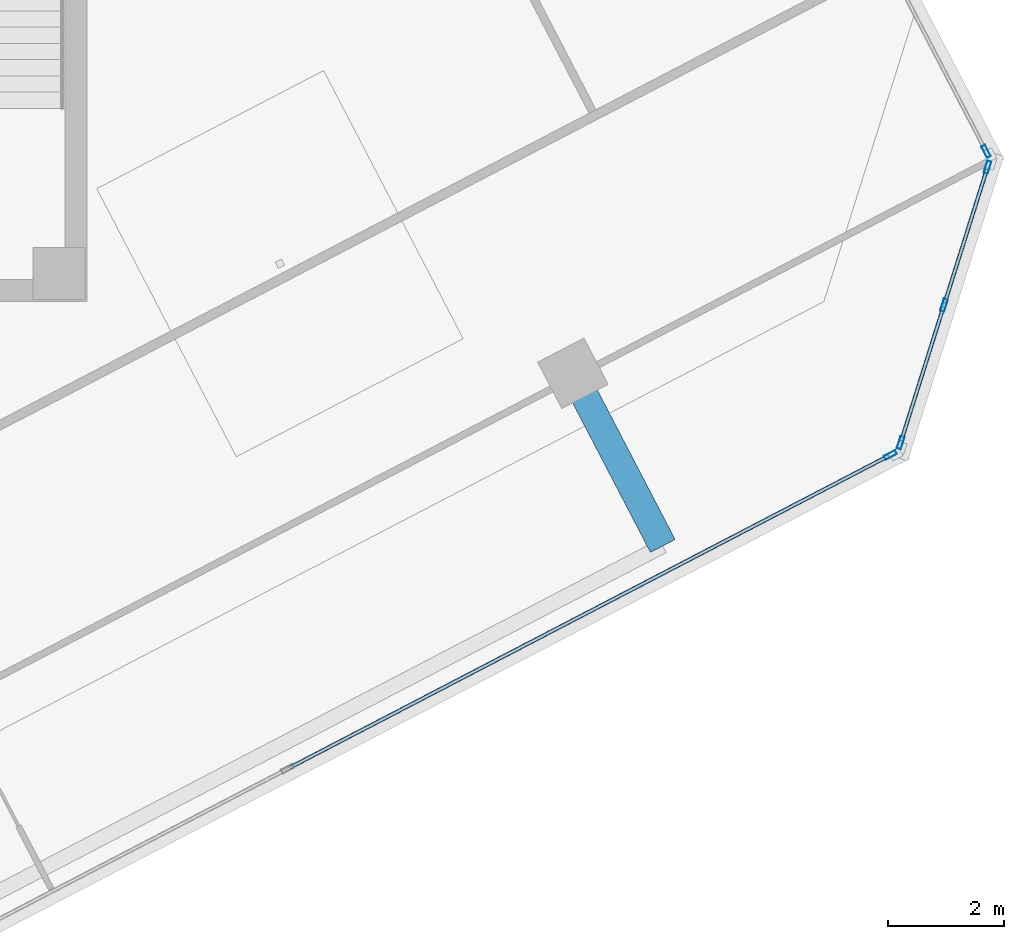
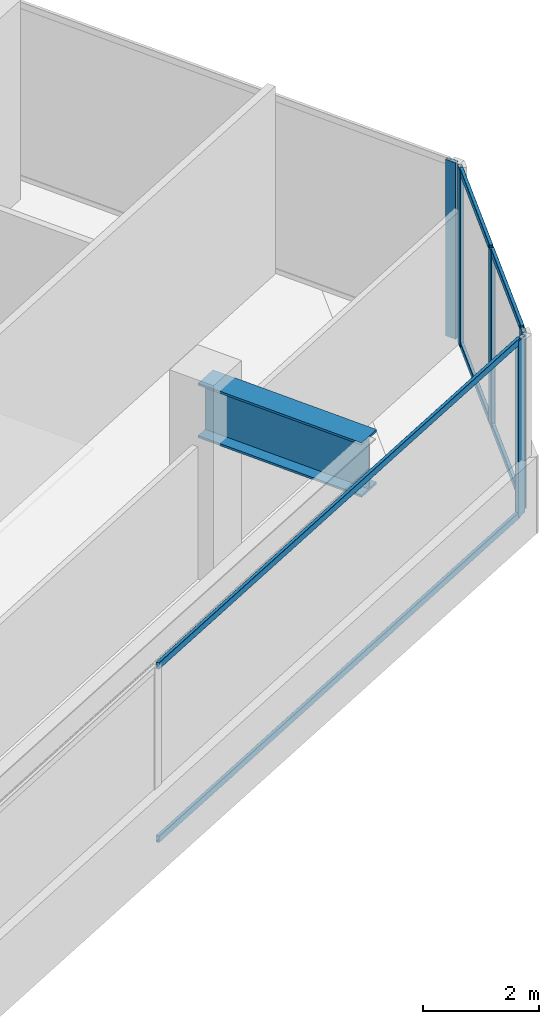
# One storey, part 6 of 16: 11 members, 1 beam, 3 elements without a shape of their own.
"""IFC4 building model written with IfcOpenShell, lengths in metres."""

from ifc_helpers import new_model, si_unit, direction, frame, origin, origin_2d, place, context, subcontext, project, spatial, hollow_rectangle, i_section, extrude, source, transform, mapped, material, material_profile, profile_set, type_object, element, aggregate, save


model = new_model("IFC4")

# Units and contexts
model_context = context("Model", 3, precision=1e-05, world=origin(), true_north=direction((0.0, 1.0)))
body_context = subcontext(model_context, "Body", "Model", "MODEL_VIEW")
ifc_project = project(units=[si_unit("LENGTHUNIT", "METRE"), si_unit("AREAUNIT", "SQUARE_METRE"), si_unit("VOLUMEUNIT", "CUBIC_METRE"), si_unit("PLANEANGLEUNIT", "RADIAN"), si_unit("MASSUNIT", "GRAM", prefix="KILO")], contexts=[model_context])

# Site, building, storey
site_placement = place(None, origin())
site = spatial("IfcSite", under=ifc_project, at=site_placement, CompositionType="ELEMENT")
building_placement = place(site_placement, origin())
building = spatial("IfcBuilding", under=site, at=building_placement, Name="Torre Montelarca", CompositionType="ELEMENT")
storey_placement = place(building_placement, frame((0.0, 0.0, 328.199951171875)))
storey = spatial("IfcBuildingStorey", under=building, at=storey_placement, Name="L74", CompositionType="ELEMENT", Elevation=328.199951171875)

# Beam
ifc_material_1 = material(Name="Steel ASTM A572 Grade 50", Category="steel")
ifc_material_profile_1 = material_profile(ifc_material_1, i_section(OverallWidth=0.47998046875, OverallDepth=1.14990234375, WebThickness=0.02197265625, FlangeThickness=0.044921875, at=origin_2d()), Name="PG1150X480X22X45", Category="steel")
ifc_profile_set_1 = profile_set([ifc_material_profile_1], Name="Steel ASTM A572 Grade 50")
beam_type = type_object("IfcBeamType", Name="BM-CG-PG1400-EXT", PredefinedType="USERDEFINED", material=ifc_profile_set_1)
shared_shape_1 = source(origin(), body_context, "Body", "SweptSolid", [
    extrude(i_section(OverallWidth=0.47998046875, OverallDepth=1.14990234375, WebThickness=0.02197265625, FlangeThickness=0.044921875, at=origin_2d()), origin(), (0.0, 0.0, 1.0), 3.349853515625),
])
beam_placement = place(storey_placement, frame((35.29150390625, 22.832275390625, 3.385009765625), z_axis=(0.461758844256, -0.887005507171, 0.0), x_axis=(0.887005507171, 0.461758844256, 0.0)))
element("IfcBeam", 1, at=beam_placement, inside=storey, type_object=beam_type, Name="L74 Sliding Tray Cantilever Girder East Y=40m (FLR)", ObjectType="CANTILEVER GIRDER", PredefinedType="USERDEFINED", context=body_context, shape_type="MappedRepresentation", body=[
    mapped(shared_shape_1, transform((0.0, 0.0, 0.0), scale=1.0)),
])

# Curtain wall, member
ifc_material_2 = material(Name="Insulated low-E laminated glass", Category="glass")
curtain_wall_type = type_object("IfcCurtainWallType", Name="CW-SYS-Z4", PredefinedType="USERDEFINED", material=ifc_material_2)
curtain_wall_1_placement = place(storey_placement, origin())
curtain_wall_1 = element("IfcCurtainWall", 2, at=curtain_wall_1_placement, inside=storey, type_object=curtain_wall_type, Name="L74 Curtain Wall Run CW-T3-L74-E06-B1", ObjectType="UNITISED GLAZING", PredefinedType="USERDEFINED")
ifc_material_3 = material(Name="Anodised aluminium AA 6063-T6", Category="aluminium")
ifc_material_profile_2 = material_profile(ifc_material_3, hollow_rectangle(XDim=0.074951171875, YDim=0.219970703125, WallThickness=0.0048828125, InnerFilletRadius=0.0048828125, OuterFilletRadius=0.010009765625, at=origin_2d()), Name="ALU75X220X5", Category="aluminium")
ifc_profile_set_2 = profile_set([ifc_material_profile_2], Name="Anodised aluminium AA 6063-T6")
member_type_1 = type_object("IfcMemberType", Name="CWM-ALU220", PredefinedType="MULLION", material=ifc_profile_set_2)
shared_shape_2 = source(origin(), body_context, "Body", "SweptSolid", [
    extrude(hollow_rectangle(XDim=0.074951171875, YDim=0.219970703125, WallThickness=0.0048828125, InnerFilletRadius=0.0048828125, OuterFilletRadius=0.010009765625, at=origin_2d()), origin(), (0.0, 0.0, 1.0), 3.719970703125),
])
member_1_placement = place(storey_placement, frame((40.754638671875, 21.426025390625, 0.0), z_axis=(0.0, 0.0, 1.0), x_axis=(-0.461745658928, 0.887012371087, 0.0)))
member_1 = element("IfcMember", 3, at=member_1_placement, type_object=member_type_1, Name="CW mullion 3", PredefinedType="MULLION", context=body_context, shape_type="MappedRepresentation", body=[
    mapped(shared_shape_2, transform((0.0, 0.0, 0.0), scale=1.0)),
])

# Curtain wall, members
curtain_wall_2_placement = place(storey_placement, origin())
curtain_wall_2 = element("IfcCurtainWall", 4, at=curtain_wall_2_placement, inside=storey, type_object=curtain_wall_type, Name="L74 Curtain Wall Run CW-T3-L74-E07-B1", ObjectType="UNITISED GLAZING", PredefinedType="USERDEFINED")
member_2_placement = place(storey_placement, frame((40.932373046875, 21.6376953125, 0.0), z_axis=(0.0, 0.0, 1.0), x_axis=(-0.953721038655, 0.300692834013, 0.0)))
member_2 = element("IfcMember", 5, at=member_2_placement, type_object=member_type_1, Name="CW mullion 1", PredefinedType="MULLION", context=body_context, shape_type="MappedRepresentation", body=[
    mapped(shared_shape_2, transform((0.0, 0.0, 0.0), scale=1.0)),
])
member_3_placement = place(storey_placement, frame((41.67919921875, 24.00634765625, 0.0), z_axis=(0.0, 0.0, 1.0), x_axis=(-0.953721038655, 0.300692834013, 0.0)))
member_3 = element("IfcMember", 6, at=member_3_placement, type_object=member_type_1, Name="CW mullion 2", PredefinedType="MULLION", context=body_context, shape_type="MappedRepresentation", body=[
    mapped(shared_shape_2, transform((0.0, 0.0, 0.0), scale=1.0)),
])
member_4_placement = place(storey_placement, frame((42.426025390625, 26.375244140625, 0.0), z_axis=(0.0, 0.0, 1.0), x_axis=(-0.953721038655, 0.300692834013, 0.0)))
member_4 = element("IfcMember", 7, at=member_4_placement, type_object=member_type_1, Name="CW mullion 3", PredefinedType="MULLION", context=body_context, shape_type="MappedRepresentation", body=[
    mapped(shared_shape_2, transform((0.0, 0.0, 0.0), scale=1.0)),
])

# Curtain wall, member
curtain_wall_3_placement = place(storey_placement, origin())
curtain_wall_3 = element("IfcCurtainWall", 8, at=curtain_wall_3_placement, inside=storey, type_object=curtain_wall_type, Name="L74 Curtain Wall Run CW-T3-L74-E08-B1", ObjectType="UNITISED GLAZING", PredefinedType="USERDEFINED")
member_5_placement = place(storey_placement, frame((42.40185546875, 26.650146484375, 0.0), z_axis=(0.0, 0.0, 1.0), x_axis=(-0.887012754742, -0.461744921926, 0.0)))
member_5 = element("IfcMember", 9, at=member_5_placement, type_object=member_type_1, Name="CW mullion 1", PredefinedType="MULLION", context=body_context, shape_type="MappedRepresentation", body=[
    mapped(shared_shape_2, transform((0.0, 0.0, 0.0), scale=1.0)),
])
aggregate(curtain_wall_3, [member_5])

# Member
ifc_material_profile_3 = material_profile(ifc_material_3, hollow_rectangle(XDim=0.06494140625, YDim=0.139892578125, WallThickness=0.00390625, InnerFilletRadius=0.00390625, OuterFilletRadius=0.008056640625, at=origin_2d()), Name="ALU65X140X4", Category="aluminium")
ifc_profile_set_3 = profile_set([ifc_material_profile_3], Name="Anodised aluminium AA 6063-T6")
member_type_2 = type_object("IfcMemberType", Name="CWT-ALU140", PredefinedType="USERDEFINED", material=ifc_profile_set_3)
shared_shape_3 = source(origin(), body_context, "Body", "SweptSolid", [
    extrude(hollow_rectangle(XDim=0.06494140625, YDim=0.139892578125, WallThickness=0.00390625, InnerFilletRadius=0.00390625, OuterFilletRadius=0.008056640625, at=origin_2d()), origin(), (0.0, 0.0, 1.0), 2.40869140625),
])
member_6_placement = place(storey_placement, frame((40.943603515625, 21.67333984375, 0.032470703125), z_axis=(0.300617148443, 0.953744897791, 0.0), x_axis=(-0.953744897791, 0.300617148443, 0.0)))
member_6 = element("IfcMember", 10, at=member_6_placement, type_object=member_type_2, Name="CW transom 1.1", ObjectType="TRANSOM", PredefinedType="USERDEFINED", context=body_context, shape_type="MappedRepresentation", body=[
    mapped(shared_shape_3, transform((0.0, 0.0, 0.0), scale=1.0)),
])

member_7_placement = place(storey_placement, frame((40.943603515625, 21.67333984375, 3.6875), z_axis=(0.300617148443, 0.953744897791, 0.0), x_axis=(-0.953744897791, 0.300617148443, 0.0)))
member_7 = element("IfcMember", 11, at=member_7_placement, type_object=member_type_2, Name="CW transom 1.2", ObjectType="TRANSOM", PredefinedType="USERDEFINED", context=body_context, shape_type="MappedRepresentation", body=[
    mapped(shared_shape_3, transform((0.0, 0.0, 0.0), scale=1.0)),
])

shared_shape_4 = source(origin(), body_context, "Body", "SweptSolid", [
    extrude(hollow_rectangle(XDim=0.06494140625, YDim=0.139892578125, WallThickness=0.00390625, InnerFilletRadius=0.00390625, OuterFilletRadius=0.008056640625, at=origin_2d()), origin(), (0.0, 0.0, 1.0), 2.408447265625),
])
member_8_placement = place(storey_placement, frame((41.6904296875, 24.042236328125, 0.032470703125), z_axis=(0.300646210642, 0.953735736998, 0.0), x_axis=(-0.953735736998, 0.300646210642, 0.0)))
member_8 = element("IfcMember", 12, at=member_8_placement, type_object=member_type_2, Name="CW transom 2.1", ObjectType="TRANSOM", PredefinedType="USERDEFINED", context=body_context, shape_type="MappedRepresentation", body=[
    mapped(shared_shape_4, transform((0.0, 0.0, 0.0), scale=1.0)),
])

member_9_placement = place(storey_placement, frame((41.6904296875, 24.042236328125, 3.6875), z_axis=(0.300646210642, 0.953735736998, 0.0), x_axis=(-0.953735736998, 0.300646210642, 0.0)))
member_9 = element("IfcMember", 13, at=member_9_placement, type_object=member_type_2, Name="CW transom 2.2", ObjectType="TRANSOM", PredefinedType="USERDEFINED", context=body_context, shape_type="MappedRepresentation", body=[
    mapped(shared_shape_4, transform((0.0, 0.0, 0.0), scale=1.0)),
])

aggregate(curtain_wall_2, [member_2, member_3, member_4, member_6, member_7, member_8, member_9])

shared_shape_5 = source(origin(), body_context, "Body", "SweptSolid", [
    extrude(hollow_rectangle(XDim=0.06494140625, YDim=0.139892578125, WallThickness=0.00390625, InnerFilletRadius=0.00390625, OuterFilletRadius=0.008056640625, at=origin_2d()), origin(), (0.0, 0.0, 1.0), 11.62158203125),
])
member_10_placement = place(storey_placement, frame((30.412841796875, 16.04248046875, 0.032470703125), z_axis=(0.887014473914, 0.461741619379, 0.0), x_axis=(-0.461741619379, 0.887014473914, 0.0)))
member_10 = element("IfcMember", 14, at=member_10_placement, type_object=member_type_2, Name="CW transom 2.1", ObjectType="TRANSOM", PredefinedType="USERDEFINED", context=body_context, shape_type="MappedRepresentation", body=[
    mapped(shared_shape_5, transform((0.0, 0.0, 0.0), scale=1.0)),
])

member_11_placement = place(storey_placement, frame((30.412841796875, 16.04248046875, 3.6875), z_axis=(0.887014473914, 0.461741619379, 0.0), x_axis=(-0.461741619379, 0.887014473914, 0.0)))
member_11 = element("IfcMember", 15, at=member_11_placement, type_object=member_type_2, Name="CW transom 2.2", ObjectType="TRANSOM", PredefinedType="USERDEFINED", context=body_context, shape_type="MappedRepresentation", body=[
    mapped(shared_shape_5, transform((0.0, 0.0, 0.0), scale=1.0)),
])

aggregate(curtain_wall_1, [member_1, member_10, member_11])

save(model, "model.ifc")
